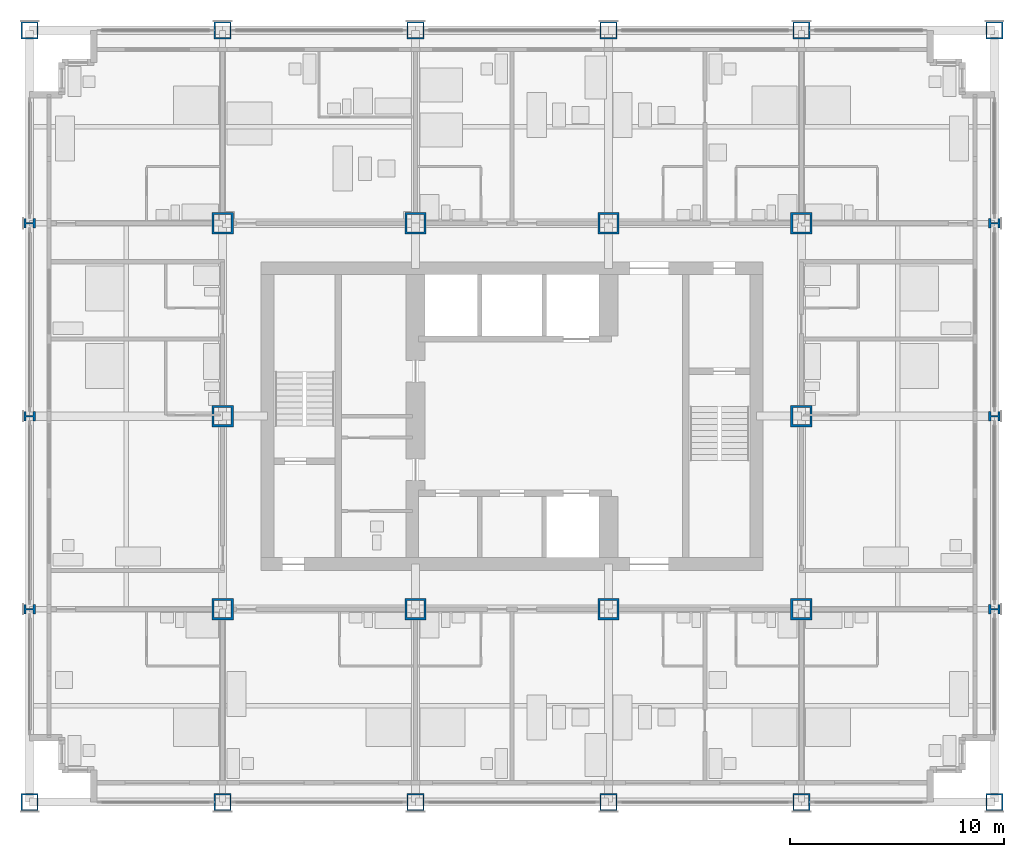
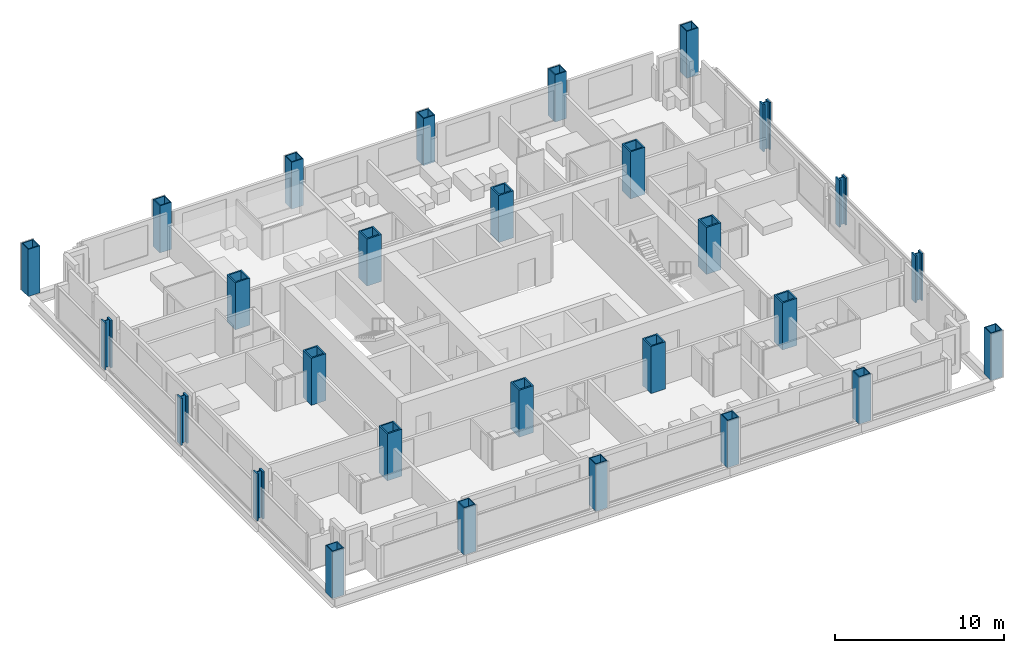
# One storey, part 1 of 17: 28 columns.
"""IFC4 building model written with IfcOpenShell, lengths in metres."""

from ifc_helpers import new_model, si_unit, direction, frame, origin, origin_2d, place, context, subcontext, project, spatial, hollow_rectangle, i_section, extrude, material, material_profile, profile_set, type_object, element, save


model = new_model("IFC4")

# Units and contexts
model_context = context("Model", 3, precision=1e-05, world=origin(), true_north=direction((0.0, 1.0)))
body_context = subcontext(model_context, "Body", "Model", "MODEL_VIEW")
ifc_project = project(units=[si_unit("LENGTHUNIT", "METRE"), si_unit("AREAUNIT", "SQUARE_METRE"), si_unit("VOLUMEUNIT", "CUBIC_METRE"), si_unit("PLANEANGLEUNIT", "RADIAN"), si_unit("MASSUNIT", "GRAM", prefix="KILO")], contexts=[model_context])

# Site, building, storey
site_placement = place(None, origin())
site = spatial("IfcSite", under=ifc_project, at=site_placement, CompositionType="ELEMENT")
building_placement = place(site_placement, origin())
building = spatial("IfcBuilding", under=site, at=building_placement, Name="Loomwork Tower", CompositionType="ELEMENT")
storey_placement = place(building_placement, frame((0.0, 0.0, 152.0)))
storey = spatial("IfcBuildingStorey", under=building, at=storey_placement, Name="L41", CompositionType="ELEMENT", Elevation=152.0)

# Columns
ifc_material_1 = material(Name="Steel ASTM A572 Grade 50 plate", Category="steel")
ifc_material_profile_1 = material_profile(ifc_material_1, hollow_rectangle(XDim=0.800048828125, YDim=0.800048828125, WallThickness=0.06005859375, at=origin_2d()), Name="BOX800x60")
ifc_profile_set_1 = profile_set([ifc_material_profile_1], Name="Steel ASTM A572 Grade 50 plate")
column_type_1 = type_object("IfcColumnType", Name="EXOSKELETON PIER BOX800x60", PredefinedType="COLUMN", material=ifc_profile_set_1)
for number, where, z_axis, x_axis, name in (
    (1, (0.0, 0.0, 0.0), (0.0, 0.0, 1.0), (1.0, 0.0, 0.0), "Exoskeleton Pier D/2 L41"),
    (2, (0.0, 36.0, 0.0), (0.0, 0.0, 1.0), (1.0, 0.0, 0.0), "Exoskeleton Pier H/2 L41"),
    (3, (9.0, 0.0, 0.0), (0.0, 0.0, 1.0), (1.0, 0.0, 0.0), "Exoskeleton Pier D/3 L41"),
    (4, (9.0, 36.0, 0.0), (0.0, 0.0, 1.0), (1.0, 0.0, 0.0), "Exoskeleton Pier H/3 L41"),
    (5, (18.0, 0.0, 0.0), (0.0, 0.0, 1.0), (1.0, 0.0, 0.0), "Exoskeleton Pier D/4 L41"),
    (6, (18.0, 36.0, 0.0), (0.0, 0.0, 1.0), (1.0, 0.0, 0.0), "Exoskeleton Pier H/4 L41"),
    (7, (27.0, 0.0, 0.0), (0.0, 0.0, 1.0), (1.0, 0.0, 0.0), "Exoskeleton Pier D/5 L41"),
    (8, (27.0, 36.0, 0.0), (0.0, 0.0, 1.0), (1.0, 0.0, 0.0), "Exoskeleton Pier H/5 L41"),
    (9, (36.0, 0.0, 0.0), (0.0, 0.0, 1.0), (1.0, 0.0, 0.0), "Exoskeleton Pier D/6 L41"),
    (10, (36.0, 36.0, 0.0), (0.0, 0.0, 1.0), (1.0, 0.0, 0.0), "Exoskeleton Pier H/6 L41"),
    (11, (45.0, 0.0, 0.0), (0.0, 0.0, 1.0), (1.0, 0.0, 0.0), "Exoskeleton Pier D/7 L41"),
    (12, (45.0, 36.0, 0.0), (0.0, 0.0, 1.0), (1.0, 0.0, 0.0), "Exoskeleton Pier H/7 L41"),
):
    element("IfcColumn", number, at=place(storey_placement, frame(where, z_axis=z_axis, x_axis=x_axis)), inside=storey, type_object=column_type_1, Name=name, PredefinedType="COLUMN", context=body_context, shape_type="SweptSolid", body=[
        extrude(hollow_rectangle(XDim=0.800048828125, YDim=0.800048828125, WallThickness=0.06005859375, at=origin_2d()), origin(), (0.0, 0.0, 1.0), 3.39990234375),
    ])
ifc_material_2 = material(Name="Steel ASTM A992", Category="steel")
ifc_material_profile_2 = material_profile(ifc_material_2, i_section(OverallWidth=0.44189453125, OverallDepth=0.53076171875, WebThickness=0.06591796875, FlangeThickness=0.105712890625, at=origin_2d()), Name="W14x605")
ifc_profile_set_2 = profile_set([ifc_material_profile_2], Name="Steel ASTM A992")
column_type_2 = type_object("IfcColumnType", Name="EXOSKELETON PIER W14x605", PredefinedType="COLUMN", material=ifc_profile_set_2)
for number, where, z_axis, x_axis, name in (
    (13, (0.0, 9.0, 0.0), (0.0, 0.0, 1.0), (0.0, 1.0, 0.0), "Exoskeleton Pier E/2 L41"),
    (14, (0.0, 18.0, 0.0), (0.0, 0.0, 1.0), (0.0, 1.0, 0.0), "Exoskeleton Pier F/2 L41"),
    (15, (0.0, 27.0, 0.0), (0.0, 0.0, 1.0), (0.0, 1.0, 0.0), "Exoskeleton Pier G/2 L41"),
    (16, (45.0, 9.0, 0.0), (0.0, 0.0, 1.0), (0.0, 1.0, 0.0), "Exoskeleton Pier E/7 L41"),
    (17, (45.0, 18.0, 0.0), (0.0, 0.0, 1.0), (0.0, 1.0, 0.0), "Exoskeleton Pier F/7 L41"),
    (18, (45.0, 27.0, 0.0), (0.0, 0.0, 1.0), (0.0, 1.0, 0.0), "Exoskeleton Pier G/7 L41"),
):
    element("IfcColumn", number, at=place(storey_placement, frame(where, z_axis=z_axis, x_axis=x_axis)), inside=storey, type_object=column_type_2, Name=name, PredefinedType="COLUMN", context=body_context, shape_type="SweptSolid", body=[
        extrude(i_section(OverallWidth=0.44189453125, OverallDepth=0.53076171875, WebThickness=0.06591796875, FlangeThickness=0.105712890625, at=origin_2d()), origin(), (0.0, 0.0, 1.0), 3.39990234375),
    ])
ifc_material_3 = material(Name="Steel ASTM A572 Grade 50 plate", Category="steel")
ifc_material_profile_3 = material_profile(ifc_material_3, hollow_rectangle(XDim=1.0, YDim=1.0, WallThickness=0.10009765625, at=origin_2d()), Name="BOX1000x100")
ifc_profile_set_3 = profile_set([ifc_material_profile_3], Name="Steel ASTM A572 Grade 50 plate")
column_type_3 = type_object("IfcColumnType", Name="TOWER COLUMN BOX1000x100", PredefinedType="COLUMN", material=ifc_profile_set_3)
for number, where, z_axis, x_axis, name in (
    (19, (9.0, 9.0, 0.0), (0.0, 0.0, 1.0), (1.0, 0.0, 0.0), "Tower Column E/3 L41"),
    (20, (9.0, 18.0, 0.0), (0.0, 0.0, 1.0), (1.0, 0.0, 0.0), "Tower Column F/3 L41"),
    (21, (9.0, 27.0, 0.0), (0.0, 0.0, 1.0), (1.0, 0.0, 0.0), "Tower Column G/3 L41"),
    (22, (18.0, 9.0, 0.0), (0.0, 0.0, 1.0), (1.0, 0.0, 0.0), "Tower Column E/4 L41"),
    (23, (18.0, 27.0, 0.0), (0.0, 0.0, 1.0), (1.0, 0.0, 0.0), "Tower Column G/4 L41"),
    (24, (27.0, 9.0, 0.0), (0.0, 0.0, 1.0), (1.0, 0.0, 0.0), "Tower Column E/5 L41"),
    (25, (27.0, 27.0, 0.0), (0.0, 0.0, 1.0), (1.0, 0.0, 0.0), "Tower Column G/5 L41"),
    (26, (36.0, 9.0, 0.0), (0.0, 0.0, 1.0), (0.0, 1.0, 0.0), "Tower Column E/6 L41"),
    (27, (36.0, 18.0, 0.0), (0.0, 0.0, 1.0), (0.0, 1.0, 0.0), "Tower Column F/6 L41"),
    (28, (36.0, 27.0, 0.0), (0.0, 0.0, 1.0), (1.0, 0.0, 0.0), "Tower Column G/6 L41"),
):
    element("IfcColumn", number, at=place(storey_placement, frame(where, z_axis=z_axis, x_axis=x_axis)), inside=storey, type_object=column_type_3, Name=name, PredefinedType="COLUMN", context=body_context, shape_type="SweptSolid", body=[
        extrude(hollow_rectangle(XDim=1.0, YDim=1.0, WallThickness=0.10009765625, at=origin_2d()), origin(), (0.0, 0.0, 1.0), 3.39990234375),
    ])

save(model, "model.ifc")
